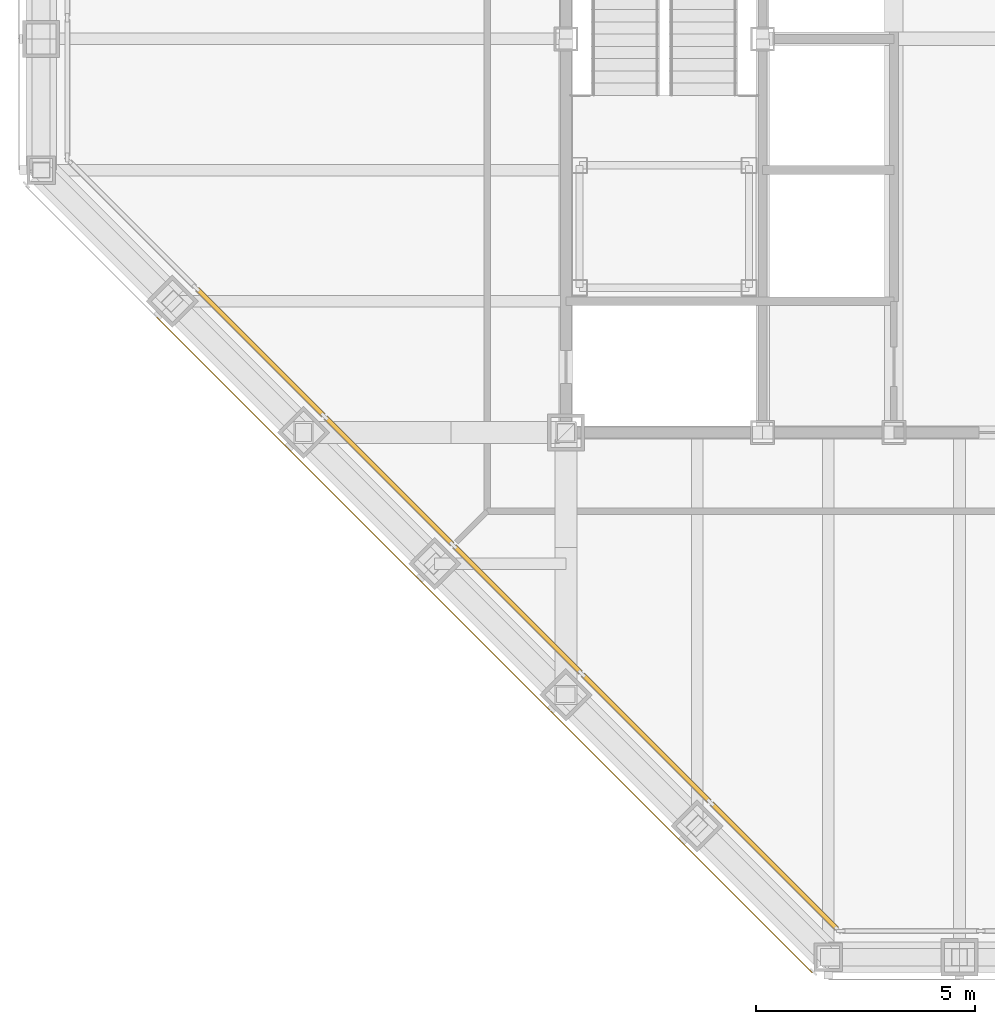
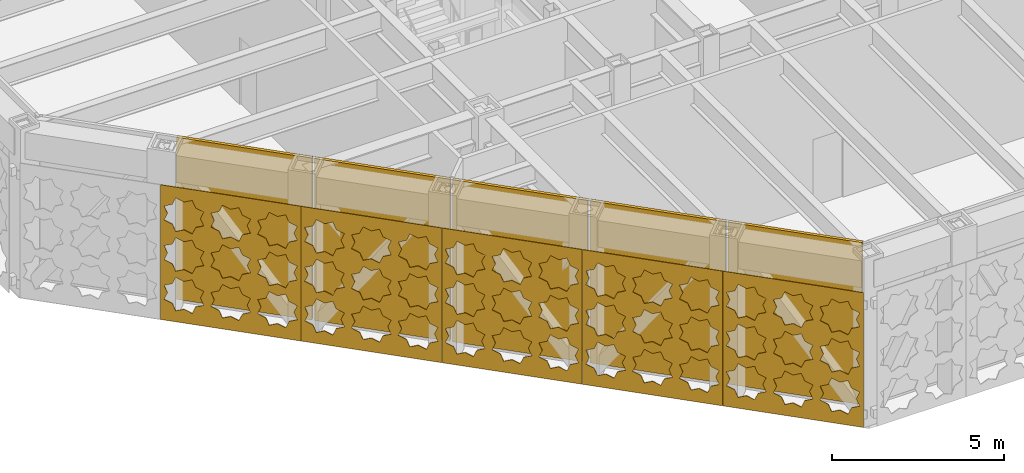
# One storey, part 22 of 29: 5 coverings, 5 shading devices, 1 element without a shape of its own.
"""IFC4 building model written with IfcOpenShell, lengths in metres."""

from ifc_helpers import new_model, si_unit, direction, frame, origin, origin_2d, place, context, subcontext, project, spatial, polyline, rectangle, outline, extrude, material, layer, layer_set, type_object, element, aggregate, save


model = new_model("IFC4")

# Units and contexts
model_context = context("Model", 3, precision=1e-05, world=origin(), true_north=direction((0.0, 1.0)))
body_context = subcontext(model_context, "Body", "Model", "MODEL_VIEW")
ifc_project = project(units=[si_unit("LENGTHUNIT", "METRE"), si_unit("AREAUNIT", "SQUARE_METRE"), si_unit("VOLUMEUNIT", "CUBIC_METRE"), si_unit("PLANEANGLEUNIT", "RADIAN"), si_unit("MASSUNIT", "GRAM", prefix="KILO")], contexts=[model_context])

# Site, building, storey
site_placement = place(None, origin())
site = spatial("IfcSite", under=ifc_project, at=site_placement, CompositionType="ELEMENT")
building_placement = place(site_placement, origin())
building = spatial("IfcBuilding", under=site, at=building_placement, Name="Chuquiago Exchange Tower", CompositionType="ELEMENT")
storey_placement = place(building_placement, frame((0.0, 0.0, 251.699951171875)))
storey = spatial("IfcBuildingStorey", under=building, at=storey_placement, Name="L56", CompositionType="ELEMENT", Elevation=251.699951171875)

# Curtain wall, shading devices
ifc_material_1 = material(Name="Aluminium curtain wall system", Category="aluminium")
ifc_layer_1 = layer(ifc_material_1, 0.199951171875)
ifc_layer_set_1 = layer_set([ifc_layer_1], Name="CW6 plant floor louvre wall")
curtain_wall_type = type_object("IfcCurtainWallType", Name="CW6 plant floor louvre wall", PredefinedType="NOTDEFINED", material=ifc_layer_set_1)
curtain_wall_placement = place(storey_placement, origin())
curtain_wall = element("IfcCurtainWall", 1, at=curtain_wall_placement, inside=storey, type_object=curtain_wall_type, Name="CW6 curtain wall L56", PredefinedType="NOTDEFINED")
ifc_material_2 = material(Name="Aluminium louvre", Category="aluminium")
ifc_layer_2 = layer(ifc_material_2, 0.10009765625)
ifc_layer_set_2 = layer_set([ifc_layer_2], Name="CW6-P louvre panel 100")
shading_device_type = type_object("IfcShadingDeviceType", Name="CW6-P louvre panel 100", PredefinedType="USERDEFINED", material=ifc_layer_set_2)
shading_device_1_placement = place(storey_placement, frame((5.01220703125, 13.83642578125, 0.0751953125), z_axis=(0.0, 0.0, 1.0), x_axis=(0.707106781187, -0.707106781187, 0.0)))
shading_device_1 = element("IfcShadingDevice", 2, at=shading_device_1_placement, type_object=shading_device_type, Name="CW6 panel 2.1", ObjectType="LOUVER", PredefinedType="USERDEFINED", context=body_context, shape_type="SweptSolid", body=[
    extrude(rectangle(XDim=4.084716796875, YDim=0.10009765625, at=origin_2d()), origin(), (0.0, 0.0, 1.0), 5.764892578125),
])
shading_device_2_placement = place(storey_placement, frame((7.95361328125, 10.89501953125, 0.0751953125), z_axis=(0.0, 0.0, 1.0), x_axis=(0.707106781187, -0.707106781187, 0.0)))
shading_device_2 = element("IfcShadingDevice", 3, at=shading_device_2_placement, type_object=shading_device_type, Name="CW6 panel 3.1", ObjectType="LOUVER", PredefinedType="USERDEFINED", context=body_context, shape_type="SweptSolid", body=[
    extrude(rectangle(XDim=4.084716796875, YDim=0.10009765625, at=origin_2d()), origin(), (0.0, 0.0, 1.0), 5.764892578125),
])
shading_device_3_placement = place(storey_placement, frame((10.89501953125, 7.95361328125, 0.0751953125), z_axis=(0.0, 0.0, 1.0), x_axis=(0.707106781187, -0.707106781187, 0.0)))
shading_device_3 = element("IfcShadingDevice", 4, at=shading_device_3_placement, type_object=shading_device_type, Name="CW6 panel 4.1", ObjectType="LOUVER", PredefinedType="USERDEFINED", context=body_context, shape_type="SweptSolid", body=[
    extrude(rectangle(XDim=4.084716796875, YDim=0.10009765625, at=origin_2d()), origin(), (0.0, 0.0, 1.0), 5.764892578125),
])
shading_device_4_placement = place(storey_placement, frame((13.83642578125, 5.01220703125, 0.0751953125), z_axis=(0.0, 0.0, 1.0), x_axis=(0.707106781187, -0.707106781187, 0.0)))
shading_device_4 = element("IfcShadingDevice", 5, at=shading_device_4_placement, type_object=shading_device_type, Name="CW6 panel 5.1", ObjectType="LOUVER", PredefinedType="USERDEFINED", context=body_context, shape_type="SweptSolid", body=[
    extrude(rectangle(XDim=4.084716796875, YDim=0.10009765625, at=origin_2d()), origin(), (0.0, 0.0, 1.0), 5.764892578125),
])
shading_device_5_placement = place(storey_placement, frame((16.7646484375, 2.083984375, 0.0751953125), z_axis=(0.0, 0.0, 1.0), x_axis=(0.707106781187, -0.707106781187, 0.0)))
shading_device_5 = element("IfcShadingDevice", 6, at=shading_device_5_placement, type_object=shading_device_type, Name="CW6 panel 6.1", ObjectType="LOUVER", PredefinedType="USERDEFINED", context=body_context, shape_type="SweptSolid", body=[
    extrude(rectangle(XDim=4.04736328125, YDim=0.10009765625, at=origin_2d()), origin(), (0.0, 0.0, 1.0), 5.764892578125),
])
aggregate(curtain_wall, [shading_device_1, shading_device_2, shading_device_3, shading_device_4, shading_device_5])

# Coverings
ifc_material_3 = material(Name="Anodised aluminium, pale", Category="aluminium")
ifc_layer_3 = layer(ifc_material_3, 0.02001953125)
ifc_layer_set_3 = layer_set([ifc_layer_3], Name="GC2 girih cladding panel 20")
covering_type = type_object("IfcCoveringType", Name="GC2 girih cladding panel 20", PredefinedType="CLADDING", material=ifc_layer_set_3)
covering_1_placement = place(storey_placement, frame((2.64990234375, 14.642822265625, 0.050048828125), z_axis=(0.0, 0.0, 1.0), x_axis=(0.707106781187, -0.707106781187, 0.0)))
element("IfcCovering", 7, at=covering_1_placement, inside=storey, type_object=covering_type, Name="Girih cladding panel L56 SW 2", PredefinedType="CLADDING", context=body_context, shape_type="SweptSolid", body=[
    extrude(outline(polyline([(0.0, 0.0), (4.232666015625, 0.0), (4.232666015625, 4.7900390625), (0.0, 4.7900390625), (0.0, 0.0)]), holes=[polyline([(1.2021484375, 0.984130859375), (1.304931640625, 1.232421875), (1.056640625, 1.33544921875), (0.953857421875, 1.583740234375), (0.70556640625, 1.480712890625), (0.45703125, 1.583740234375), (0.354248046875, 1.33544921875), (0.10595703125, 1.232421875), (0.208740234375, 0.984130859375), (0.10595703125, 0.735595703125), (0.354248046875, 0.6328125), (0.45703125, 0.384521484375), (0.705322265625, 0.4873046875), (0.953857421875, 0.384521484375), (1.056640625, 0.6328125), (1.304931640625, 0.735595703125), (1.2021484375, 0.984130859375)]), polyline([(2.613037109375, 0.984130859375), (2.7158203125, 1.232421875), (2.467529296875, 1.33544921875), (2.36474609375, 1.583740234375), (2.116455078125, 1.480712890625), (1.867919921875, 1.583740234375), (1.76513671875, 1.33544921875), (1.516845703125, 1.232421875), (1.61962890625, 0.984130859375), (1.516845703125, 0.735595703125), (1.76513671875, 0.6328125), (1.867919921875, 0.384521484375), (2.116455078125, 0.4873046875), (2.36474609375, 0.384521484375), (2.467529296875, 0.6328125), (2.7158203125, 0.735595703125), (2.613037109375, 0.984130859375)]), polyline([(4.02392578125, 0.984130859375), (4.126708984375, 1.232421875), (3.87841796875, 1.33544921875), (3.775634765625, 1.583740234375), (3.527099609375, 1.480712890625), (3.27880859375, 1.583740234375), (3.176025390625, 1.33544921875), (2.927734375, 1.232421875), (3.030517578125, 0.984130859375), (2.927734375, 0.735595703125), (3.176025390625, 0.6328125), (3.27880859375, 0.384521484375), (3.527099609375, 0.4873046875), (3.775634765625, 0.384521484375), (3.87841796875, 0.6328125), (4.126708984375, 0.735595703125), (4.02392578125, 0.984130859375)]), polyline([(1.2021484375, 2.39501953125), (1.304931640625, 2.643310546875), (1.056640625, 2.746337890625), (0.953857421875, 2.99462890625), (0.70556640625, 2.8916015625), (0.45703125, 2.99462890625), (0.354248046875, 2.746337890625), (0.10595703125, 2.643310546875), (0.208740234375, 2.39501953125), (0.10595703125, 2.146484375), (0.354248046875, 2.043701171875), (0.45703125, 1.79541015625), (0.705322265625, 1.898193359375), (0.953857421875, 1.79541015625), (1.056640625, 2.043701171875), (1.304931640625, 2.146484375), (1.2021484375, 2.39501953125)]), polyline([(2.613037109375, 2.39501953125), (2.7158203125, 2.643310546875), (2.467529296875, 2.746337890625), (2.36474609375, 2.99462890625), (2.116455078125, 2.8916015625), (1.867919921875, 2.99462890625), (1.76513671875, 2.746337890625), (1.516845703125, 2.643310546875), (1.61962890625, 2.39501953125), (1.516845703125, 2.146484375), (1.76513671875, 2.043701171875), (1.867919921875, 1.79541015625), (2.116455078125, 1.898193359375), (2.36474609375, 1.79541015625), (2.467529296875, 2.043701171875), (2.7158203125, 2.146484375), (2.613037109375, 2.39501953125)]), polyline([(4.02392578125, 2.39501953125), (4.126708984375, 2.643310546875), (3.87841796875, 2.746337890625), (3.775634765625, 2.99462890625), (3.527099609375, 2.8916015625), (3.27880859375, 2.99462890625), (3.176025390625, 2.746337890625), (2.927734375, 2.643310546875), (3.030517578125, 2.39501953125), (2.927734375, 2.146484375), (3.176025390625, 2.043701171875), (3.27880859375, 1.79541015625), (3.527099609375, 1.898193359375), (3.775634765625, 1.79541015625), (3.87841796875, 2.043701171875), (4.126708984375, 2.146484375), (4.02392578125, 2.39501953125)]), polyline([(1.2021484375, 3.805908203125), (1.304931640625, 4.05419921875), (1.056640625, 4.1572265625), (0.953857421875, 4.405517578125), (0.70556640625, 4.302490234375), (0.45703125, 4.405517578125), (0.354248046875, 4.1572265625), (0.10595703125, 4.05419921875), (0.208740234375, 3.805908203125), (0.10595703125, 3.5576171875), (0.354248046875, 3.45458984375), (0.45703125, 3.206298828125), (0.705322265625, 3.30908203125), (0.953857421875, 3.206298828125), (1.056640625, 3.45458984375), (1.304931640625, 3.5576171875), (1.2021484375, 3.805908203125)]), polyline([(2.613037109375, 3.805908203125), (2.7158203125, 4.05419921875), (2.467529296875, 4.1572265625), (2.36474609375, 4.405517578125), (2.116455078125, 4.302490234375), (1.867919921875, 4.405517578125), (1.76513671875, 4.1572265625), (1.516845703125, 4.05419921875), (1.61962890625, 3.805908203125), (1.516845703125, 3.5576171875), (1.76513671875, 3.45458984375), (1.867919921875, 3.206298828125), (2.116455078125, 3.30908203125), (2.36474609375, 3.206298828125), (2.467529296875, 3.45458984375), (2.7158203125, 3.5576171875), (2.613037109375, 3.805908203125)]), polyline([(4.02392578125, 3.805908203125), (4.126708984375, 4.05419921875), (3.87841796875, 4.1572265625), (3.775634765625, 4.405517578125), (3.527099609375, 4.302490234375), (3.27880859375, 4.405517578125), (3.176025390625, 4.1572265625), (2.927734375, 4.05419921875), (3.030517578125, 3.805908203125), (2.927734375, 3.5576171875), (3.176025390625, 3.45458984375), (3.27880859375, 3.206298828125), (3.527099609375, 3.30908203125), (3.775634765625, 3.206298828125), (3.87841796875, 3.45458984375), (4.126708984375, 3.5576171875), (4.02392578125, 3.805908203125)])]), frame((0.0, 0.0, 0.0), z_axis=(0.0, -1.0, 0.0), x_axis=(1.0, 0.0, 0.0)), (0.0, 0.0, 1.0), 0.02001953125),
])
covering_2_placement = place(storey_placement, frame((5.64990234375, 11.642822265625, 0.050048828125), z_axis=(0.0, 0.0, 1.0), x_axis=(0.707106781187, -0.707106781187, 0.0)))
element("IfcCovering", 8, at=covering_2_placement, inside=storey, type_object=covering_type, Name="Girih cladding panel L56 SW 3", PredefinedType="CLADDING", context=body_context, shape_type="SweptSolid", body=[
    extrude(outline(polyline([(0.0, 0.0), (4.232666015625, 0.0), (4.232666015625, 4.7900390625), (0.0, 4.7900390625), (0.0, 0.0)]), holes=[polyline([(1.2021484375, 0.984130859375), (1.304931640625, 1.232421875), (1.056640625, 1.33544921875), (0.953857421875, 1.583740234375), (0.70556640625, 1.480712890625), (0.45703125, 1.583740234375), (0.354248046875, 1.33544921875), (0.10595703125, 1.232421875), (0.208740234375, 0.984130859375), (0.10595703125, 0.735595703125), (0.354248046875, 0.6328125), (0.45703125, 0.384521484375), (0.705322265625, 0.4873046875), (0.953857421875, 0.384521484375), (1.056640625, 0.6328125), (1.304931640625, 0.735595703125), (1.2021484375, 0.984130859375)]), polyline([(2.613037109375, 0.984130859375), (2.7158203125, 1.232421875), (2.467529296875, 1.33544921875), (2.36474609375, 1.583740234375), (2.116455078125, 1.480712890625), (1.867919921875, 1.583740234375), (1.76513671875, 1.33544921875), (1.516845703125, 1.232421875), (1.61962890625, 0.984130859375), (1.516845703125, 0.735595703125), (1.76513671875, 0.6328125), (1.867919921875, 0.384521484375), (2.116455078125, 0.4873046875), (2.36474609375, 0.384521484375), (2.467529296875, 0.6328125), (2.7158203125, 0.735595703125), (2.613037109375, 0.984130859375)]), polyline([(4.02392578125, 0.984130859375), (4.126708984375, 1.232421875), (3.87841796875, 1.33544921875), (3.775634765625, 1.583740234375), (3.527099609375, 1.480712890625), (3.27880859375, 1.583740234375), (3.176025390625, 1.33544921875), (2.927734375, 1.232421875), (3.030517578125, 0.984130859375), (2.927734375, 0.735595703125), (3.176025390625, 0.6328125), (3.27880859375, 0.384521484375), (3.527099609375, 0.4873046875), (3.775634765625, 0.384521484375), (3.87841796875, 0.6328125), (4.126708984375, 0.735595703125), (4.02392578125, 0.984130859375)]), polyline([(1.2021484375, 2.39501953125), (1.304931640625, 2.643310546875), (1.056640625, 2.746337890625), (0.953857421875, 2.99462890625), (0.70556640625, 2.8916015625), (0.45703125, 2.99462890625), (0.354248046875, 2.746337890625), (0.10595703125, 2.643310546875), (0.208740234375, 2.39501953125), (0.10595703125, 2.146484375), (0.354248046875, 2.043701171875), (0.45703125, 1.79541015625), (0.705322265625, 1.898193359375), (0.953857421875, 1.79541015625), (1.056640625, 2.043701171875), (1.304931640625, 2.146484375), (1.2021484375, 2.39501953125)]), polyline([(2.613037109375, 2.39501953125), (2.7158203125, 2.643310546875), (2.467529296875, 2.746337890625), (2.36474609375, 2.99462890625), (2.116455078125, 2.8916015625), (1.867919921875, 2.99462890625), (1.76513671875, 2.746337890625), (1.516845703125, 2.643310546875), (1.61962890625, 2.39501953125), (1.516845703125, 2.146484375), (1.76513671875, 2.043701171875), (1.867919921875, 1.79541015625), (2.116455078125, 1.898193359375), (2.36474609375, 1.79541015625), (2.467529296875, 2.043701171875), (2.7158203125, 2.146484375), (2.613037109375, 2.39501953125)]), polyline([(4.02392578125, 2.39501953125), (4.126708984375, 2.643310546875), (3.87841796875, 2.746337890625), (3.775634765625, 2.99462890625), (3.527099609375, 2.8916015625), (3.27880859375, 2.99462890625), (3.176025390625, 2.746337890625), (2.927734375, 2.643310546875), (3.030517578125, 2.39501953125), (2.927734375, 2.146484375), (3.176025390625, 2.043701171875), (3.27880859375, 1.79541015625), (3.527099609375, 1.898193359375), (3.775634765625, 1.79541015625), (3.87841796875, 2.043701171875), (4.126708984375, 2.146484375), (4.02392578125, 2.39501953125)]), polyline([(1.2021484375, 3.805908203125), (1.304931640625, 4.05419921875), (1.056640625, 4.1572265625), (0.953857421875, 4.405517578125), (0.70556640625, 4.302490234375), (0.45703125, 4.405517578125), (0.354248046875, 4.1572265625), (0.10595703125, 4.05419921875), (0.208740234375, 3.805908203125), (0.10595703125, 3.5576171875), (0.354248046875, 3.45458984375), (0.45703125, 3.206298828125), (0.705322265625, 3.30908203125), (0.953857421875, 3.206298828125), (1.056640625, 3.45458984375), (1.304931640625, 3.5576171875), (1.2021484375, 3.805908203125)]), polyline([(2.613037109375, 3.805908203125), (2.7158203125, 4.05419921875), (2.467529296875, 4.1572265625), (2.36474609375, 4.405517578125), (2.116455078125, 4.302490234375), (1.867919921875, 4.405517578125), (1.76513671875, 4.1572265625), (1.516845703125, 4.05419921875), (1.61962890625, 3.805908203125), (1.516845703125, 3.5576171875), (1.76513671875, 3.45458984375), (1.867919921875, 3.206298828125), (2.116455078125, 3.30908203125), (2.36474609375, 3.206298828125), (2.467529296875, 3.45458984375), (2.7158203125, 3.5576171875), (2.613037109375, 3.805908203125)]), polyline([(4.02392578125, 3.805908203125), (4.126708984375, 4.05419921875), (3.87841796875, 4.1572265625), (3.775634765625, 4.405517578125), (3.527099609375, 4.302490234375), (3.27880859375, 4.405517578125), (3.176025390625, 4.1572265625), (2.927734375, 4.05419921875), (3.030517578125, 3.805908203125), (2.927734375, 3.5576171875), (3.176025390625, 3.45458984375), (3.27880859375, 3.206298828125), (3.527099609375, 3.30908203125), (3.775634765625, 3.206298828125), (3.87841796875, 3.45458984375), (4.126708984375, 3.5576171875), (4.02392578125, 3.805908203125)])]), frame((0.0, 0.0, 0.0), z_axis=(0.0, -1.0, 0.0), x_axis=(1.0, 0.0, 0.0)), (0.0, 0.0, 1.0), 0.02001953125),
])
covering_3_placement = place(storey_placement, frame((8.64990234375, 8.642822265625, 0.050048828125), z_axis=(0.0, 0.0, 1.0), x_axis=(0.707106781187, -0.707106781187, 0.0)))
element("IfcCovering", 9, at=covering_3_placement, inside=storey, type_object=covering_type, Name="Girih cladding panel L56 SW 4", PredefinedType="CLADDING", context=body_context, shape_type="SweptSolid", body=[
    extrude(outline(polyline([(0.0, 0.0), (4.232666015625, 0.0), (4.232666015625, 4.7900390625), (0.0, 4.7900390625), (0.0, 0.0)]), holes=[polyline([(1.2021484375, 0.984130859375), (1.304931640625, 1.232421875), (1.056640625, 1.33544921875), (0.953857421875, 1.583740234375), (0.70556640625, 1.480712890625), (0.45703125, 1.583740234375), (0.354248046875, 1.33544921875), (0.10595703125, 1.232421875), (0.208740234375, 0.984130859375), (0.10595703125, 0.735595703125), (0.354248046875, 0.6328125), (0.45703125, 0.384521484375), (0.705322265625, 0.4873046875), (0.953857421875, 0.384521484375), (1.056640625, 0.6328125), (1.304931640625, 0.735595703125), (1.2021484375, 0.984130859375)]), polyline([(2.613037109375, 0.984130859375), (2.7158203125, 1.232421875), (2.467529296875, 1.33544921875), (2.36474609375, 1.583740234375), (2.116455078125, 1.480712890625), (1.867919921875, 1.583740234375), (1.76513671875, 1.33544921875), (1.516845703125, 1.232421875), (1.61962890625, 0.984130859375), (1.516845703125, 0.735595703125), (1.76513671875, 0.6328125), (1.867919921875, 0.384521484375), (2.116455078125, 0.4873046875), (2.36474609375, 0.384521484375), (2.467529296875, 0.6328125), (2.7158203125, 0.735595703125), (2.613037109375, 0.984130859375)]), polyline([(4.02392578125, 0.984130859375), (4.126708984375, 1.232421875), (3.87841796875, 1.33544921875), (3.775634765625, 1.583740234375), (3.527099609375, 1.480712890625), (3.27880859375, 1.583740234375), (3.176025390625, 1.33544921875), (2.927734375, 1.232421875), (3.030517578125, 0.984130859375), (2.927734375, 0.735595703125), (3.176025390625, 0.6328125), (3.27880859375, 0.384521484375), (3.527099609375, 0.4873046875), (3.775634765625, 0.384521484375), (3.87841796875, 0.6328125), (4.126708984375, 0.735595703125), (4.02392578125, 0.984130859375)]), polyline([(1.2021484375, 2.39501953125), (1.304931640625, 2.643310546875), (1.056640625, 2.746337890625), (0.953857421875, 2.99462890625), (0.70556640625, 2.8916015625), (0.45703125, 2.99462890625), (0.354248046875, 2.746337890625), (0.10595703125, 2.643310546875), (0.208740234375, 2.39501953125), (0.10595703125, 2.146484375), (0.354248046875, 2.043701171875), (0.45703125, 1.79541015625), (0.705322265625, 1.898193359375), (0.953857421875, 1.79541015625), (1.056640625, 2.043701171875), (1.304931640625, 2.146484375), (1.2021484375, 2.39501953125)]), polyline([(2.613037109375, 2.39501953125), (2.7158203125, 2.643310546875), (2.467529296875, 2.746337890625), (2.36474609375, 2.99462890625), (2.116455078125, 2.8916015625), (1.867919921875, 2.99462890625), (1.76513671875, 2.746337890625), (1.516845703125, 2.643310546875), (1.61962890625, 2.39501953125), (1.516845703125, 2.146484375), (1.76513671875, 2.043701171875), (1.867919921875, 1.79541015625), (2.116455078125, 1.898193359375), (2.36474609375, 1.79541015625), (2.467529296875, 2.043701171875), (2.7158203125, 2.146484375), (2.613037109375, 2.39501953125)]), polyline([(4.02392578125, 2.39501953125), (4.126708984375, 2.643310546875), (3.87841796875, 2.746337890625), (3.775634765625, 2.99462890625), (3.527099609375, 2.8916015625), (3.27880859375, 2.99462890625), (3.176025390625, 2.746337890625), (2.927734375, 2.643310546875), (3.030517578125, 2.39501953125), (2.927734375, 2.146484375), (3.176025390625, 2.043701171875), (3.27880859375, 1.79541015625), (3.527099609375, 1.898193359375), (3.775634765625, 1.79541015625), (3.87841796875, 2.043701171875), (4.126708984375, 2.146484375), (4.02392578125, 2.39501953125)]), polyline([(1.2021484375, 3.805908203125), (1.304931640625, 4.05419921875), (1.056640625, 4.1572265625), (0.953857421875, 4.405517578125), (0.70556640625, 4.302490234375), (0.45703125, 4.405517578125), (0.354248046875, 4.1572265625), (0.10595703125, 4.05419921875), (0.208740234375, 3.805908203125), (0.10595703125, 3.5576171875), (0.354248046875, 3.45458984375), (0.45703125, 3.206298828125), (0.705322265625, 3.30908203125), (0.953857421875, 3.206298828125), (1.056640625, 3.45458984375), (1.304931640625, 3.5576171875), (1.2021484375, 3.805908203125)]), polyline([(2.613037109375, 3.805908203125), (2.7158203125, 4.05419921875), (2.467529296875, 4.1572265625), (2.36474609375, 4.405517578125), (2.116455078125, 4.302490234375), (1.867919921875, 4.405517578125), (1.76513671875, 4.1572265625), (1.516845703125, 4.05419921875), (1.61962890625, 3.805908203125), (1.516845703125, 3.5576171875), (1.76513671875, 3.45458984375), (1.867919921875, 3.206298828125), (2.116455078125, 3.30908203125), (2.36474609375, 3.206298828125), (2.467529296875, 3.45458984375), (2.7158203125, 3.5576171875), (2.613037109375, 3.805908203125)]), polyline([(4.02392578125, 3.805908203125), (4.126708984375, 4.05419921875), (3.87841796875, 4.1572265625), (3.775634765625, 4.405517578125), (3.527099609375, 4.302490234375), (3.27880859375, 4.405517578125), (3.176025390625, 4.1572265625), (2.927734375, 4.05419921875), (3.030517578125, 3.805908203125), (2.927734375, 3.5576171875), (3.176025390625, 3.45458984375), (3.27880859375, 3.206298828125), (3.527099609375, 3.30908203125), (3.775634765625, 3.206298828125), (3.87841796875, 3.45458984375), (4.126708984375, 3.5576171875), (4.02392578125, 3.805908203125)])]), frame((0.0, 0.0, 0.0), z_axis=(0.0, -1.0, 0.0), x_axis=(1.0, 0.0, 0.0)), (0.0, 0.0, 1.0), 0.02001953125),
])
covering_4_placement = place(storey_placement, frame((11.64990234375, 5.642822265625, 0.050048828125), z_axis=(0.0, 0.0, 1.0), x_axis=(0.707106781187, -0.707106781187, 0.0)))
element("IfcCovering", 10, at=covering_4_placement, inside=storey, type_object=covering_type, Name="Girih cladding panel L56 SW 5", PredefinedType="CLADDING", context=body_context, shape_type="SweptSolid", body=[
    extrude(outline(polyline([(0.0, 0.0), (4.232666015625, 0.0), (4.232666015625, 4.7900390625), (0.0, 4.7900390625), (0.0, 0.0)]), holes=[polyline([(1.2021484375, 0.984130859375), (1.304931640625, 1.232421875), (1.056640625, 1.33544921875), (0.953857421875, 1.583740234375), (0.70556640625, 1.480712890625), (0.45703125, 1.583740234375), (0.354248046875, 1.33544921875), (0.10595703125, 1.232421875), (0.208740234375, 0.984130859375), (0.10595703125, 0.735595703125), (0.354248046875, 0.6328125), (0.45703125, 0.384521484375), (0.705322265625, 0.4873046875), (0.953857421875, 0.384521484375), (1.056640625, 0.6328125), (1.304931640625, 0.735595703125), (1.2021484375, 0.984130859375)]), polyline([(2.613037109375, 0.984130859375), (2.7158203125, 1.232421875), (2.467529296875, 1.33544921875), (2.36474609375, 1.583740234375), (2.116455078125, 1.480712890625), (1.867919921875, 1.583740234375), (1.76513671875, 1.33544921875), (1.516845703125, 1.232421875), (1.61962890625, 0.984130859375), (1.516845703125, 0.735595703125), (1.76513671875, 0.6328125), (1.867919921875, 0.384521484375), (2.116455078125, 0.4873046875), (2.36474609375, 0.384521484375), (2.467529296875, 0.6328125), (2.7158203125, 0.735595703125), (2.613037109375, 0.984130859375)]), polyline([(4.02392578125, 0.984130859375), (4.126708984375, 1.232421875), (3.87841796875, 1.33544921875), (3.775634765625, 1.583740234375), (3.527099609375, 1.480712890625), (3.27880859375, 1.583740234375), (3.176025390625, 1.33544921875), (2.927734375, 1.232421875), (3.030517578125, 0.984130859375), (2.927734375, 0.735595703125), (3.176025390625, 0.6328125), (3.27880859375, 0.384521484375), (3.527099609375, 0.4873046875), (3.775634765625, 0.384521484375), (3.87841796875, 0.6328125), (4.126708984375, 0.735595703125), (4.02392578125, 0.984130859375)]), polyline([(1.2021484375, 2.39501953125), (1.304931640625, 2.643310546875), (1.056640625, 2.746337890625), (0.953857421875, 2.99462890625), (0.70556640625, 2.8916015625), (0.45703125, 2.99462890625), (0.354248046875, 2.746337890625), (0.10595703125, 2.643310546875), (0.208740234375, 2.39501953125), (0.10595703125, 2.146484375), (0.354248046875, 2.043701171875), (0.45703125, 1.79541015625), (0.705322265625, 1.898193359375), (0.953857421875, 1.79541015625), (1.056640625, 2.043701171875), (1.304931640625, 2.146484375), (1.2021484375, 2.39501953125)]), polyline([(2.613037109375, 2.39501953125), (2.7158203125, 2.643310546875), (2.467529296875, 2.746337890625), (2.36474609375, 2.99462890625), (2.116455078125, 2.8916015625), (1.867919921875, 2.99462890625), (1.76513671875, 2.746337890625), (1.516845703125, 2.643310546875), (1.61962890625, 2.39501953125), (1.516845703125, 2.146484375), (1.76513671875, 2.043701171875), (1.867919921875, 1.79541015625), (2.116455078125, 1.898193359375), (2.36474609375, 1.79541015625), (2.467529296875, 2.043701171875), (2.7158203125, 2.146484375), (2.613037109375, 2.39501953125)]), polyline([(4.02392578125, 2.39501953125), (4.126708984375, 2.643310546875), (3.87841796875, 2.746337890625), (3.775634765625, 2.99462890625), (3.527099609375, 2.8916015625), (3.27880859375, 2.99462890625), (3.176025390625, 2.746337890625), (2.927734375, 2.643310546875), (3.030517578125, 2.39501953125), (2.927734375, 2.146484375), (3.176025390625, 2.043701171875), (3.27880859375, 1.79541015625), (3.527099609375, 1.898193359375), (3.775634765625, 1.79541015625), (3.87841796875, 2.043701171875), (4.126708984375, 2.146484375), (4.02392578125, 2.39501953125)]), polyline([(1.2021484375, 3.805908203125), (1.304931640625, 4.05419921875), (1.056640625, 4.1572265625), (0.953857421875, 4.405517578125), (0.70556640625, 4.302490234375), (0.45703125, 4.405517578125), (0.354248046875, 4.1572265625), (0.10595703125, 4.05419921875), (0.208740234375, 3.805908203125), (0.10595703125, 3.5576171875), (0.354248046875, 3.45458984375), (0.45703125, 3.206298828125), (0.705322265625, 3.30908203125), (0.953857421875, 3.206298828125), (1.056640625, 3.45458984375), (1.304931640625, 3.5576171875), (1.2021484375, 3.805908203125)]), polyline([(2.613037109375, 3.805908203125), (2.7158203125, 4.05419921875), (2.467529296875, 4.1572265625), (2.36474609375, 4.405517578125), (2.116455078125, 4.302490234375), (1.867919921875, 4.405517578125), (1.76513671875, 4.1572265625), (1.516845703125, 4.05419921875), (1.61962890625, 3.805908203125), (1.516845703125, 3.5576171875), (1.76513671875, 3.45458984375), (1.867919921875, 3.206298828125), (2.116455078125, 3.30908203125), (2.36474609375, 3.206298828125), (2.467529296875, 3.45458984375), (2.7158203125, 3.5576171875), (2.613037109375, 3.805908203125)]), polyline([(4.02392578125, 3.805908203125), (4.126708984375, 4.05419921875), (3.87841796875, 4.1572265625), (3.775634765625, 4.405517578125), (3.527099609375, 4.302490234375), (3.27880859375, 4.405517578125), (3.176025390625, 4.1572265625), (2.927734375, 4.05419921875), (3.030517578125, 3.805908203125), (2.927734375, 3.5576171875), (3.176025390625, 3.45458984375), (3.27880859375, 3.206298828125), (3.527099609375, 3.30908203125), (3.775634765625, 3.206298828125), (3.87841796875, 3.45458984375), (4.126708984375, 3.5576171875), (4.02392578125, 3.805908203125)])]), frame((0.0, 0.0, 0.0), z_axis=(0.0, -1.0, 0.0), x_axis=(1.0, 0.0, 0.0)), (0.0, 0.0, 1.0), 0.02001953125),
])
covering_5_placement = place(storey_placement, frame((14.64990234375, 2.642822265625, 0.050048828125), z_axis=(0.0, 0.0, 1.0), x_axis=(0.707106781187, -0.707106781187, 0.0)))
element("IfcCovering", 11, at=covering_5_placement, inside=storey, type_object=covering_type, Name="Girih cladding panel L56 SW 6", PredefinedType="CLADDING", context=body_context, shape_type="SweptSolid", body=[
    extrude(outline(polyline([(0.0, 0.0), (4.232666015625, 0.0), (4.232666015625, 4.7900390625), (0.0, 4.7900390625), (0.0, 0.0)]), holes=[polyline([(1.2021484375, 0.984130859375), (1.304931640625, 1.232421875), (1.056640625, 1.33544921875), (0.953857421875, 1.583740234375), (0.70556640625, 1.480712890625), (0.45703125, 1.583740234375), (0.354248046875, 1.33544921875), (0.10595703125, 1.232421875), (0.208740234375, 0.984130859375), (0.10595703125, 0.735595703125), (0.354248046875, 0.6328125), (0.45703125, 0.384521484375), (0.705322265625, 0.4873046875), (0.953857421875, 0.384521484375), (1.056640625, 0.6328125), (1.304931640625, 0.735595703125), (1.2021484375, 0.984130859375)]), polyline([(2.613037109375, 0.984130859375), (2.7158203125, 1.232421875), (2.467529296875, 1.33544921875), (2.36474609375, 1.583740234375), (2.116455078125, 1.480712890625), (1.867919921875, 1.583740234375), (1.76513671875, 1.33544921875), (1.516845703125, 1.232421875), (1.61962890625, 0.984130859375), (1.516845703125, 0.735595703125), (1.76513671875, 0.6328125), (1.867919921875, 0.384521484375), (2.116455078125, 0.4873046875), (2.36474609375, 0.384521484375), (2.467529296875, 0.6328125), (2.7158203125, 0.735595703125), (2.613037109375, 0.984130859375)]), polyline([(4.02392578125, 0.984130859375), (4.126708984375, 1.232421875), (3.87841796875, 1.33544921875), (3.775634765625, 1.583740234375), (3.527099609375, 1.480712890625), (3.27880859375, 1.583740234375), (3.176025390625, 1.33544921875), (2.927734375, 1.232421875), (3.030517578125, 0.984130859375), (2.927734375, 0.735595703125), (3.176025390625, 0.6328125), (3.27880859375, 0.384521484375), (3.527099609375, 0.4873046875), (3.775634765625, 0.384521484375), (3.87841796875, 0.6328125), (4.126708984375, 0.735595703125), (4.02392578125, 0.984130859375)]), polyline([(1.2021484375, 2.39501953125), (1.304931640625, 2.643310546875), (1.056640625, 2.746337890625), (0.953857421875, 2.99462890625), (0.70556640625, 2.8916015625), (0.45703125, 2.99462890625), (0.354248046875, 2.746337890625), (0.10595703125, 2.643310546875), (0.208740234375, 2.39501953125), (0.10595703125, 2.146484375), (0.354248046875, 2.043701171875), (0.45703125, 1.79541015625), (0.705322265625, 1.898193359375), (0.953857421875, 1.79541015625), (1.056640625, 2.043701171875), (1.304931640625, 2.146484375), (1.2021484375, 2.39501953125)]), polyline([(2.613037109375, 2.39501953125), (2.7158203125, 2.643310546875), (2.467529296875, 2.746337890625), (2.36474609375, 2.99462890625), (2.116455078125, 2.8916015625), (1.867919921875, 2.99462890625), (1.76513671875, 2.746337890625), (1.516845703125, 2.643310546875), (1.61962890625, 2.39501953125), (1.516845703125, 2.146484375), (1.76513671875, 2.043701171875), (1.867919921875, 1.79541015625), (2.116455078125, 1.898193359375), (2.36474609375, 1.79541015625), (2.467529296875, 2.043701171875), (2.7158203125, 2.146484375), (2.613037109375, 2.39501953125)]), polyline([(4.02392578125, 2.39501953125), (4.126708984375, 2.643310546875), (3.87841796875, 2.746337890625), (3.775634765625, 2.99462890625), (3.527099609375, 2.8916015625), (3.27880859375, 2.99462890625), (3.176025390625, 2.746337890625), (2.927734375, 2.643310546875), (3.030517578125, 2.39501953125), (2.927734375, 2.146484375), (3.176025390625, 2.043701171875), (3.27880859375, 1.79541015625), (3.527099609375, 1.898193359375), (3.775634765625, 1.79541015625), (3.87841796875, 2.043701171875), (4.126708984375, 2.146484375), (4.02392578125, 2.39501953125)]), polyline([(1.2021484375, 3.805908203125), (1.304931640625, 4.05419921875), (1.056640625, 4.1572265625), (0.953857421875, 4.405517578125), (0.70556640625, 4.302490234375), (0.45703125, 4.405517578125), (0.354248046875, 4.1572265625), (0.10595703125, 4.05419921875), (0.208740234375, 3.805908203125), (0.10595703125, 3.5576171875), (0.354248046875, 3.45458984375), (0.45703125, 3.206298828125), (0.705322265625, 3.30908203125), (0.953857421875, 3.206298828125), (1.056640625, 3.45458984375), (1.304931640625, 3.5576171875), (1.2021484375, 3.805908203125)]), polyline([(2.613037109375, 3.805908203125), (2.7158203125, 4.05419921875), (2.467529296875, 4.1572265625), (2.36474609375, 4.405517578125), (2.116455078125, 4.302490234375), (1.867919921875, 4.405517578125), (1.76513671875, 4.1572265625), (1.516845703125, 4.05419921875), (1.61962890625, 3.805908203125), (1.516845703125, 3.5576171875), (1.76513671875, 3.45458984375), (1.867919921875, 3.206298828125), (2.116455078125, 3.30908203125), (2.36474609375, 3.206298828125), (2.467529296875, 3.45458984375), (2.7158203125, 3.5576171875), (2.613037109375, 3.805908203125)]), polyline([(4.02392578125, 3.805908203125), (4.126708984375, 4.05419921875), (3.87841796875, 4.1572265625), (3.775634765625, 4.405517578125), (3.527099609375, 4.302490234375), (3.27880859375, 4.405517578125), (3.176025390625, 4.1572265625), (2.927734375, 4.05419921875), (3.030517578125, 3.805908203125), (2.927734375, 3.5576171875), (3.176025390625, 3.45458984375), (3.27880859375, 3.206298828125), (3.527099609375, 3.30908203125), (3.775634765625, 3.206298828125), (3.87841796875, 3.45458984375), (4.126708984375, 3.5576171875), (4.02392578125, 3.805908203125)])]), frame((0.0, 0.0, 0.0), z_axis=(0.0, -1.0, 0.0), x_axis=(1.0, 0.0, 0.0)), (0.0, 0.0, 1.0), 0.02001953125),
])

save(model, "model.ifc")
